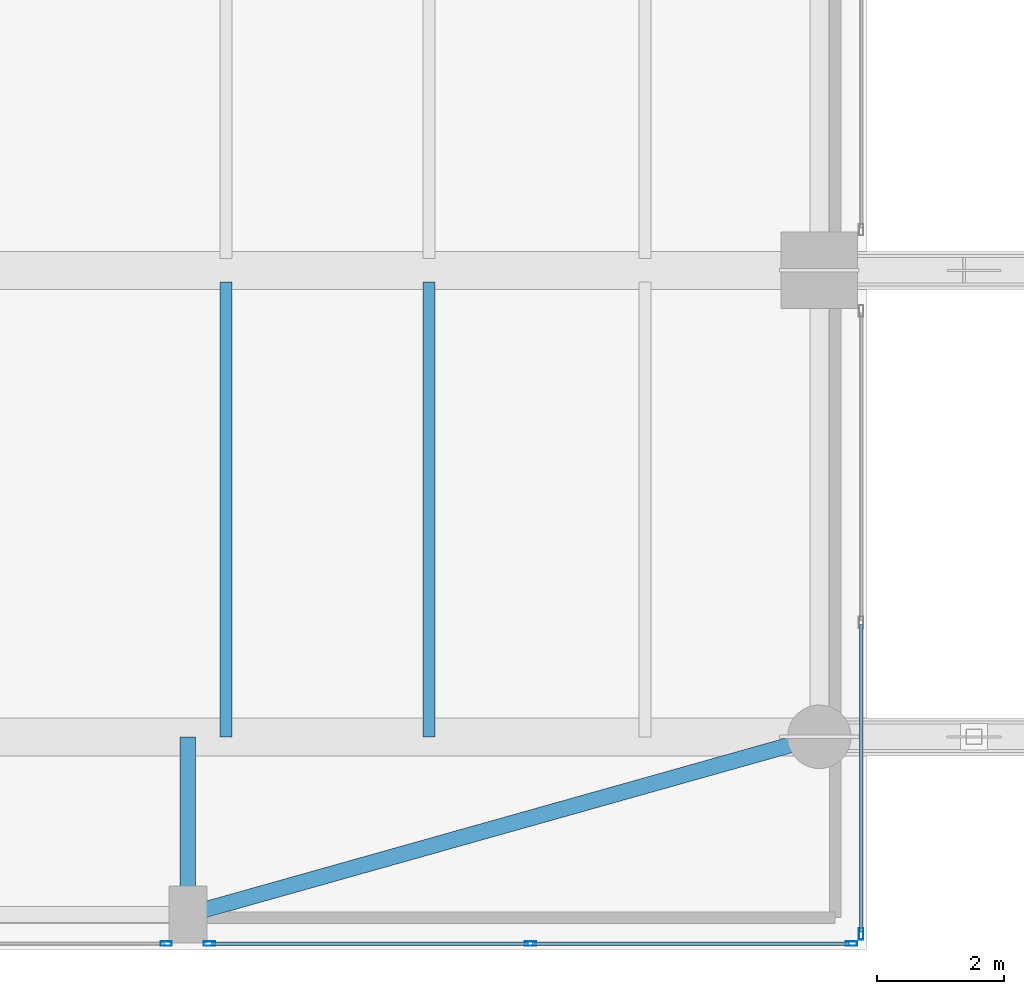
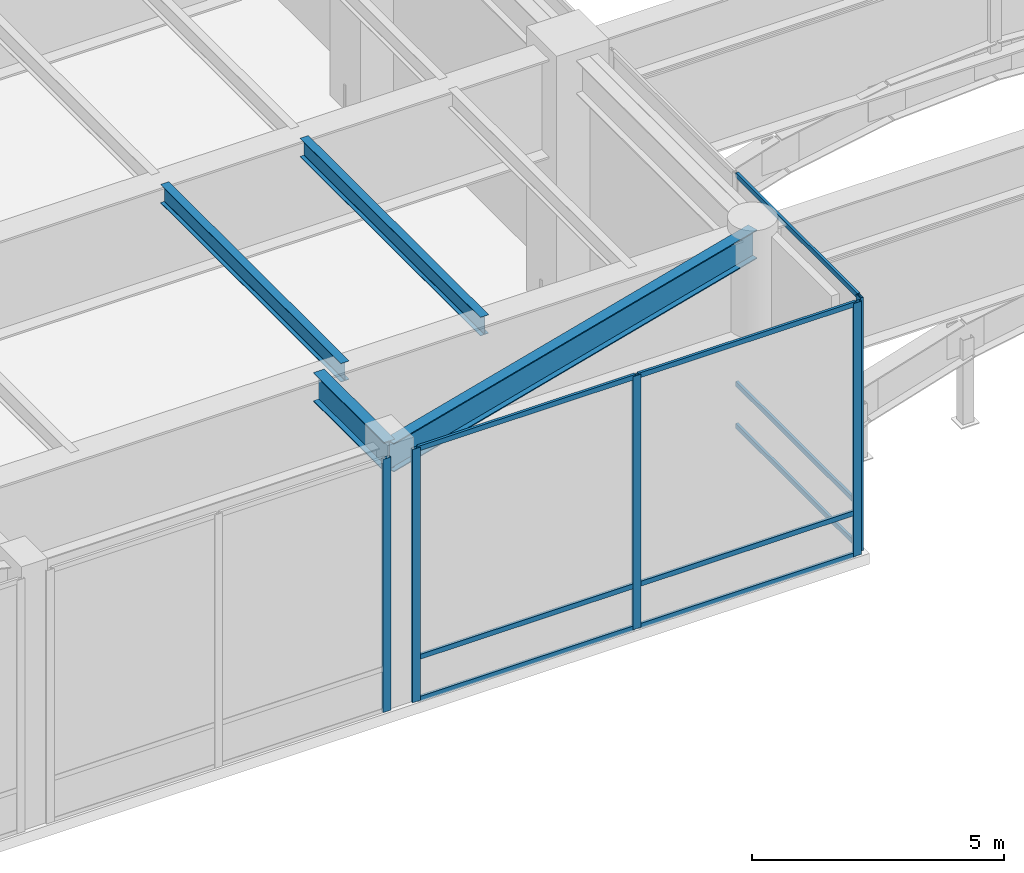
# One storey, part 7 of 50: 14 members, 4 beams, 3 elements without a shape of their own.
"""IFC4 building model written with IfcOpenShell, lengths in metres."""

from ifc_helpers import new_model, si_unit, direction, frame, origin, origin_2d, place, context, subcontext, project, spatial, hollow_rectangle, i_section, extrude, source, transform, mapped, material, layer, layer_set, material_profile, profile_set, type_object, type_shapes, element, aggregate, save


model = new_model("IFC4")

# Units and contexts
model_context = context("Model", 3, precision=1e-05, world=origin(), true_north=direction((0.0, 1.0)))
body_context = subcontext(model_context, "Body", "Model", "MODEL_VIEW")
ifc_project = project(units=[si_unit("LENGTHUNIT", "METRE"), si_unit("AREAUNIT", "SQUARE_METRE"), si_unit("VOLUMEUNIT", "CUBIC_METRE"), si_unit("PLANEANGLEUNIT", "RADIAN"), si_unit("MASSUNIT", "GRAM", prefix="KILO")], contexts=[model_context])

# Site, building, storey
site_placement = place(None, origin())
site = spatial("IfcSite", under=ifc_project, at=site_placement, CompositionType="ELEMENT")
building_placement = place(site_placement, origin())
building = spatial("IfcBuilding", under=site, at=building_placement, Name="Tolvann Quenvar Hotel", CompositionType="ELEMENT")
storey_placement = place(building_placement, frame((0.0, 0.0, 16.0)))
storey = spatial("IfcBuildingStorey", under=building, at=storey_placement, Name="L03", CompositionType="ELEMENT", Elevation=16.0)

# Beams
ifc_material_1 = material(Name="Steel Grade 350", Category="steel")
ifc_material_profile_1 = material_profile(ifc_material_1, i_section(OverallWidth=0.25, OverallDepth=0.699951171875, WebThickness=0.010009765625, FlangeThickness=0.02392578125, at=origin_2d()), Name="700WB150")
ifc_profile_set_1 = profile_set([ifc_material_profile_1], Name="Steel Grade 350")
beam_type_1 = type_object("IfcBeamType", Name="BM_GIRD_700WB150", PredefinedType="BEAM", material=ifc_profile_set_1)
shared_shape_1 = source(origin(), body_context, "Body", "SweptSolid", [
    extrude(i_section(OverallWidth=0.25, OverallDepth=0.699951171875, WebThickness=0.010009765625, FlangeThickness=0.02392578125, at=origin_2d()), origin(), (0.0, 0.0, 1.0), 10.33642578125),
])
beam_1_placement = place(storey_placement, frame((8.800048828125, -1.949951171875, 5.7900390625), z_axis=(0.962609953155, 0.270891266169, 0.0), x_axis=(-0.270891266169, 0.962609953155, 0.0)))
element("IfcBeam", 1, at=beam_1_placement, inside=storey, type_object=beam_type_1, Name="BM-L03-EWS-W2", PredefinedType="BEAM", context=body_context, shape_type="MappedRepresentation", body=[
    mapped(shared_shape_1, transform((0.0, 0.0, 0.0), x_axis=(1.0, 0.0, 0.0), y_axis=(0.0, 1.0, 0.0), z_axis=(0.0, 0.0, 1.0), scale=1.0)),
])
shared_shape_2 = source(origin(), body_context, "Body", "SweptSolid", [
    extrude(i_section(OverallWidth=0.25, OverallDepth=0.699951171875, WebThickness=0.010009765625, FlangeThickness=0.02392578125, at=origin_2d()), origin(), (0.0, 0.0, 1.0), 2.800048828125),
])
type_shapes(beam_type_1, [shared_shape_1, shared_shape_2])
beam_2_placement = place(storey_placement, frame((8.800048828125, -1.949951171875, 5.7900390625), z_axis=(0.0, 1.0, 0.0), x_axis=(-1.0, 0.0, 0.0)))
element("IfcBeam", 2, at=beam_2_placement, inside=storey, type_object=beam_type_1, Name="BM-L03-TIE-S-8", PredefinedType="BEAM", context=body_context, shape_type="MappedRepresentation", body=[
    mapped(shared_shape_2, transform((0.0, 0.0, 0.0), x_axis=(1.0, 0.0, 0.0), y_axis=(0.0, 1.0, 0.0), z_axis=(0.0, 0.0, 1.0), scale=1.0)),
])
ifc_material_profile_2 = material_profile(ifc_material_1, i_section(OverallWidth=0.18994140625, OverallDepth=0.4541015625, WebThickness=0.008544921875, FlangeThickness=0.0126953125, FilletRadius=0.011474609375, at=origin_2d()), Name="460UB67")
ifc_profile_set_2 = profile_set([ifc_material_profile_2], Name="Steel Grade 350")
beam_type_2 = type_object("IfcBeamType", Name="BM_JOIST_460UB67", PredefinedType="JOIST", material=ifc_profile_set_2)
shared_shape_3 = source(origin(), body_context, "Body", "SweptSolid", [
    extrude(i_section(OverallWidth=0.18994140625, OverallDepth=0.4541015625, WebThickness=0.008544921875, FlangeThickness=0.0126953125, FilletRadius=0.011474609375, at=origin_2d()), origin(), (0.0, 0.0, 1.0), 7.164794921875),
])
type_shapes(beam_type_2, [shared_shape_3])
for number, where, z_axis, x_axis, name in (
    (3, (9.39990234375, 0.85009765625, 5.9130859375), (0.0, 1.0, 0.0), (-1.0, 0.0, 0.0), "BJ-L03-94-8"),
    (4, (12.60009765625, 0.85009765625, 5.9130859375), (0.0, 1.0, 0.0), (-1.0, 0.0, 0.0), "BJ-L03-126-8"),
):
    element("IfcBeam", number, at=place(storey_placement, frame(where, z_axis=z_axis, x_axis=x_axis)), inside=storey, type_object=beam_type_2, Name=name, PredefinedType="JOIST", context=body_context, shape_type="MappedRepresentation", body=[
        mapped(shared_shape_3, transform((0.0, 0.0, 0.0), x_axis=(1.0, 0.0, 0.0), y_axis=(0.0, 1.0, 0.0), z_axis=(0.0, 0.0, 1.0), scale=1.0)),
    ])

# Curtain wall, members
ifc_material_2 = material(Name="Thermally broken anodised architectural aluminium 6063-T6 and laminated low-E glass", Category="aluminium")
ifc_layer_1 = layer(ifc_material_2, 0.179931640625)
ifc_layer_set_1 = layer_set([ifc_layer_1], Name="Thermally broken anodised architectural aluminium 6063-T6 and laminated low-E glass")
curtain_wall_type_1 = type_object("IfcCurtainWallType", Name="CW_SYS_BALL_02", PredefinedType="USERDEFINED", material=ifc_layer_set_1)
curtain_wall_1_placement = place(storey_placement, origin())
curtain_wall_1 = element("IfcCurtainWall", 5, at=curtain_wall_1_placement, inside=storey, type_object=curtain_wall_type_1, Name="Curtain Wall CW-BALL-02 (CWR-L03-E08-S3)", ObjectType="UNITISED CURTAIN WALL", PredefinedType="USERDEFINED")
ifc_material_3 = material(Name="Anodised architectural aluminium 6063-T6 framing", Category="aluminium")
ifc_material_profile_3 = material_profile(ifc_material_3, hollow_rectangle(XDim=0.06005859375, YDim=0.1201171875, WallThickness=0.00341796875, at=origin_2d()), Name="120x60x3.5RHS")
ifc_profile_set_3 = profile_set([ifc_material_profile_3], Name="Anodised architectural aluminium 6063-T6 framing")
member_type_1 = type_object("IfcMemberType", Name="CW_TRAN_120x60", PredefinedType="USERDEFINED", material=ifc_profile_set_3)
shared_shape_4 = source(origin(), body_context, "Body", "SweptSolid", [
    extrude(hollow_rectangle(XDim=0.06005859375, YDim=0.1201171875, WallThickness=0.00341796875, at=origin_2d()), origin(), (0.0, 0.0, 1.0), 4.988037109375),
])
member_1_placement = place(storey_placement, frame((9.174072265625, -2.409912109375, 0.030029296875), z_axis=(1.0, 0.0, 0.0), x_axis=(0.0, 1.0, 0.0)))
member_1 = element("IfcMember", 6, at=member_1_placement, type_object=member_type_1, Name="CW-BALL-02 transom 1.1", ObjectType="TRANSOM", PredefinedType="USERDEFINED", context=body_context, shape_type="MappedRepresentation", body=[
    mapped(shared_shape_4, transform((0.0, 0.0, 0.0), x_axis=(1.0, 0.0, 0.0), y_axis=(0.0, 1.0, 0.0), z_axis=(0.0, 0.0, 1.0), scale=1.0)),
])
member_2_placement = place(storey_placement, frame((9.174072265625, -2.409912109375, 1.050048828125), z_axis=(1.0, 0.0, 0.0), x_axis=(0.0, 1.0, 0.0)))
member_2 = element("IfcMember", 7, at=member_2_placement, type_object=member_type_1, Name="CW-BALL-02 transom 1.2", ObjectType="TRANSOM", PredefinedType="USERDEFINED", context=body_context, shape_type="MappedRepresentation", body=[
    mapped(shared_shape_4, transform((0.0, 0.0, 0.0), x_axis=(1.0, 0.0, 0.0), y_axis=(0.0, 1.0, 0.0), z_axis=(0.0, 0.0, 1.0), scale=1.0)),
])
member_3_placement = place(storey_placement, frame((9.174072265625, -2.409912109375, 6.110107421875), z_axis=(1.0, 0.0, 0.0), x_axis=(0.0, 1.0, 0.0)))
member_3 = element("IfcMember", 8, at=member_3_placement, type_object=member_type_1, Name="CW-BALL-02 transom 1.3", ObjectType="TRANSOM", PredefinedType="USERDEFINED", context=body_context, shape_type="MappedRepresentation", body=[
    mapped(shared_shape_4, transform((0.0, 0.0, 0.0), x_axis=(1.0, 0.0, 0.0), y_axis=(0.0, 1.0, 0.0), z_axis=(0.0, 0.0, 1.0), scale=1.0)),
])
member_4_placement = place(storey_placement, frame((14.23193359375, -2.409912109375, 0.030029296875), z_axis=(1.0, 0.0, 0.0), x_axis=(0.0, 1.0, 0.0)))
member_4 = element("IfcMember", 9, at=member_4_placement, type_object=member_type_1, Name="CW-BALL-02 transom 2.1", ObjectType="TRANSOM", PredefinedType="USERDEFINED", context=body_context, shape_type="MappedRepresentation", body=[
    mapped(shared_shape_4, transform((0.0, 0.0, 0.0), x_axis=(1.0, 0.0, 0.0), y_axis=(0.0, 1.0, 0.0), z_axis=(0.0, 0.0, 1.0), scale=1.0)),
])
member_5_placement = place(storey_placement, frame((14.23193359375, -2.409912109375, 1.050048828125), z_axis=(1.0, 0.0, 0.0), x_axis=(0.0, 1.0, 0.0)))
member_5 = element("IfcMember", 10, at=member_5_placement, type_object=member_type_1, Name="CW-BALL-02 transom 2.2", ObjectType="TRANSOM", PredefinedType="USERDEFINED", context=body_context, shape_type="MappedRepresentation", body=[
    mapped(shared_shape_4, transform((0.0, 0.0, 0.0), x_axis=(1.0, 0.0, 0.0), y_axis=(0.0, 1.0, 0.0), z_axis=(0.0, 0.0, 1.0), scale=1.0)),
])
member_6_placement = place(storey_placement, frame((14.23193359375, -2.409912109375, 6.110107421875), z_axis=(1.0, 0.0, 0.0), x_axis=(0.0, 1.0, 0.0)))
member_6 = element("IfcMember", 11, at=member_6_placement, type_object=member_type_1, Name="CW-BALL-02 transom 2.3", ObjectType="TRANSOM", PredefinedType="USERDEFINED", context=body_context, shape_type="MappedRepresentation", body=[
    mapped(shared_shape_4, transform((0.0, 0.0, 0.0), x_axis=(1.0, 0.0, 0.0), y_axis=(0.0, 1.0, 0.0), z_axis=(0.0, 0.0, 1.0), scale=1.0)),
])

# Curtain wall, member
ifc_layer_2 = layer(ifc_material_2, 0.179931640625)
ifc_layer_set_2 = layer_set([ifc_layer_2], Name="Thermally broken anodised architectural aluminium 6063-T6 and laminated low-E glass")
curtain_wall_type_2 = type_object("IfcCurtainWallType", Name="CW_SYS_ARCH_01", PredefinedType="USERDEFINED", material=ifc_layer_set_2)
curtain_wall_2_placement = place(storey_placement, origin())
curtain_wall_2 = element("IfcCurtainWall", 12, at=curtain_wall_2_placement, inside=storey, type_object=curtain_wall_type_2, Name="Curtain Wall CW-ARCH-01 (CWR-L03-E01-S1)", ObjectType="UNITISED CURTAIN WALL", PredefinedType="USERDEFINED")
ifc_material_profile_4 = material_profile(ifc_material_3, hollow_rectangle(XDim=0.070068359375, YDim=0.179931640625, WallThickness=0.00390625, at=origin_2d()), Name="180x70x4RHS")
ifc_profile_set_4 = profile_set([ifc_material_profile_4], Name="Anodised architectural aluminium 6063-T6 framing")
member_type_2 = type_object("IfcMemberType", Name="CW_MULL_180x70", PredefinedType="MULLION", material=ifc_profile_set_4)
shared_shape_5 = source(origin(), body_context, "Body", "SweptSolid", [
    extrude(hollow_rectangle(XDim=0.070068359375, YDim=0.179931640625, WallThickness=0.00390625, at=origin_2d()), origin(), (0.0, 0.0, 1.0), 6.139892578125),
])
type_shapes(member_type_2, [shared_shape_5])
member_7_placement = place(storey_placement, frame((19.409912109375, -2.2548828125, 0.0), z_axis=(0.0, 0.0, 1.0), x_axis=(-1.0, 0.0, 0.0)))
member_7 = element("IfcMember", 13, at=member_7_placement, type_object=member_type_2, Name="CW-ARCH-01 mullion 1", PredefinedType="MULLION", context=body_context, shape_type="MappedRepresentation", body=[
    mapped(shared_shape_5, transform((0.0, 0.0, 0.0), x_axis=(1.0, 0.0, 0.0), y_axis=(0.0, 1.0, 0.0), z_axis=(0.0, 0.0, 1.0), scale=1.0)),
])

curtain_wall_3_placement = place(storey_placement, origin())
curtain_wall_3 = element("IfcCurtainWall", 14, at=curtain_wall_3_placement, inside=storey, type_object=curtain_wall_type_1, Name="Curtain Wall CW-BALL-02 (CWR-L03-E08-S2)", ObjectType="UNITISED CURTAIN WALL", PredefinedType="USERDEFINED")
member_8_placement = place(storey_placement, frame((8.4609375, -2.409912109375, 0.0), z_axis=(0.0, 0.0, 1.0), x_axis=(0.0, 1.0, 0.0)))
member_8 = element("IfcMember", 15, at=member_8_placement, type_object=member_type_2, Name="CW-BALL-02 mullion 3", PredefinedType="MULLION", context=body_context, shape_type="MappedRepresentation", body=[
    mapped(shared_shape_5, transform((0.0, 0.0, 0.0), x_axis=(1.0, 0.0, 0.0), y_axis=(0.0, 1.0, 0.0), z_axis=(0.0, 0.0, 1.0), scale=1.0)),
])
aggregate(curtain_wall_3, [member_8])

# Member
member_9_placement = place(storey_placement, frame((9.138916015625, -2.409912109375, 0.0), z_axis=(0.0, 0.0, 1.0), x_axis=(0.0, 1.0, 0.0)))
member_9 = element("IfcMember", 16, at=member_9_placement, type_object=member_type_2, Name="CW-BALL-02 mullion 1", PredefinedType="MULLION", context=body_context, shape_type="MappedRepresentation", body=[
    mapped(shared_shape_5, transform((0.0, 0.0, 0.0), x_axis=(1.0, 0.0, 0.0), y_axis=(0.0, 1.0, 0.0), z_axis=(0.0, 0.0, 1.0), scale=1.0)),
])

member_10_placement = place(storey_placement, frame((14.197021484375, -2.409912109375, 0.0), z_axis=(0.0, 0.0, 1.0), x_axis=(0.0, 1.0, 0.0)))
member_10 = element("IfcMember", 17, at=member_10_placement, type_object=member_type_2, Name="CW-BALL-02 mullion 2", PredefinedType="MULLION", context=body_context, shape_type="MappedRepresentation", body=[
    mapped(shared_shape_5, transform((0.0, 0.0, 0.0), x_axis=(1.0, 0.0, 0.0), y_axis=(0.0, 1.0, 0.0), z_axis=(0.0, 0.0, 1.0), scale=1.0)),
])

member_11_placement = place(storey_placement, frame((19.2548828125, -2.409912109375, 0.0), z_axis=(0.0, 0.0, 1.0), x_axis=(0.0, 1.0, 0.0)))
member_11 = element("IfcMember", 18, at=member_11_placement, type_object=member_type_2, Name="CW-BALL-02 mullion 3", PredefinedType="MULLION", context=body_context, shape_type="MappedRepresentation", body=[
    mapped(shared_shape_5, transform((0.0, 0.0, 0.0), x_axis=(1.0, 0.0, 0.0), y_axis=(0.0, 1.0, 0.0), z_axis=(0.0, 0.0, 1.0), scale=1.0)),
])

aggregate(curtain_wall_1, [member_9, member_10, member_11, member_1, member_2, member_3, member_4, member_5, member_6])

shared_shape_6 = source(origin(), body_context, "Body", "SweptSolid", [
    extrude(hollow_rectangle(XDim=0.06005859375, YDim=0.1201171875, WallThickness=0.00341796875, at=origin_2d()), origin(), (0.0, 0.0, 1.0), 4.837890625),
])
type_shapes(member_type_1, [shared_shape_4, shared_shape_6])
member_12_placement = place(storey_placement, frame((19.409912109375, -2.219970703125, 0.030029296875), z_axis=(0.0, 1.0, 0.0), x_axis=(-1.0, 0.0, 0.0)))
member_12 = element("IfcMember", 19, at=member_12_placement, type_object=member_type_1, Name="CW-ARCH-01 transom 1.1", ObjectType="TRANSOM", PredefinedType="USERDEFINED", context=body_context, shape_type="MappedRepresentation", body=[
    mapped(shared_shape_6, transform((0.0, 0.0, 0.0), x_axis=(1.0, 0.0, 0.0), y_axis=(0.0, 1.0, 0.0), z_axis=(0.0, 0.0, 1.0), scale=1.0)),
])

member_13_placement = place(storey_placement, frame((19.409912109375, -2.219970703125, 1.050048828125), z_axis=(0.0, 1.0, 0.0), x_axis=(-1.0, 0.0, 0.0)))
member_13 = element("IfcMember", 20, at=member_13_placement, type_object=member_type_1, Name="CW-ARCH-01 transom 1.2", ObjectType="TRANSOM", PredefinedType="USERDEFINED", context=body_context, shape_type="MappedRepresentation", body=[
    mapped(shared_shape_6, transform((0.0, 0.0, 0.0), x_axis=(1.0, 0.0, 0.0), y_axis=(0.0, 1.0, 0.0), z_axis=(0.0, 0.0, 1.0), scale=1.0)),
])

member_14_placement = place(storey_placement, frame((19.409912109375, -2.219970703125, 6.110107421875), z_axis=(0.0, 1.0, 0.0), x_axis=(-1.0, 0.0, 0.0)))
member_14 = element("IfcMember", 21, at=member_14_placement, type_object=member_type_1, Name="CW-ARCH-01 transom 1.3", ObjectType="TRANSOM", PredefinedType="USERDEFINED", context=body_context, shape_type="MappedRepresentation", body=[
    mapped(shared_shape_6, transform((0.0, 0.0, 0.0), x_axis=(1.0, 0.0, 0.0), y_axis=(0.0, 1.0, 0.0), z_axis=(0.0, 0.0, 1.0), scale=1.0)),
])

aggregate(curtain_wall_2, [member_7, member_12, member_13, member_14])

save(model, "model.ifc")
